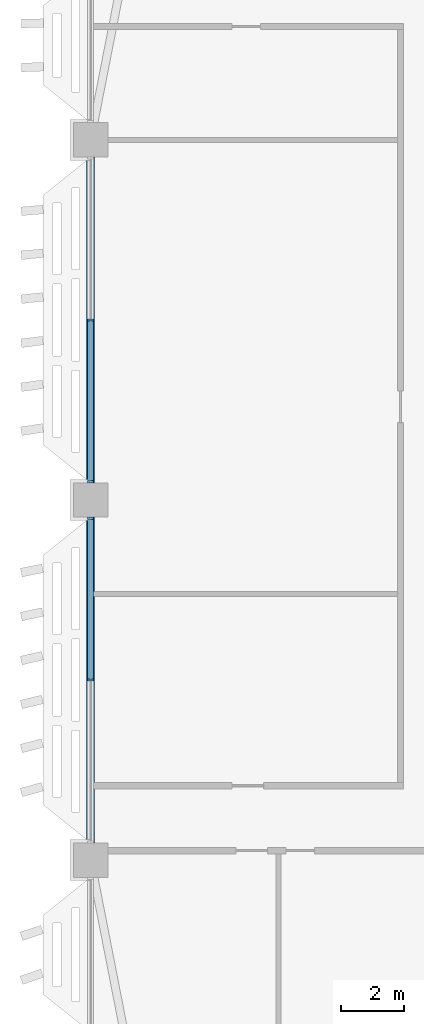
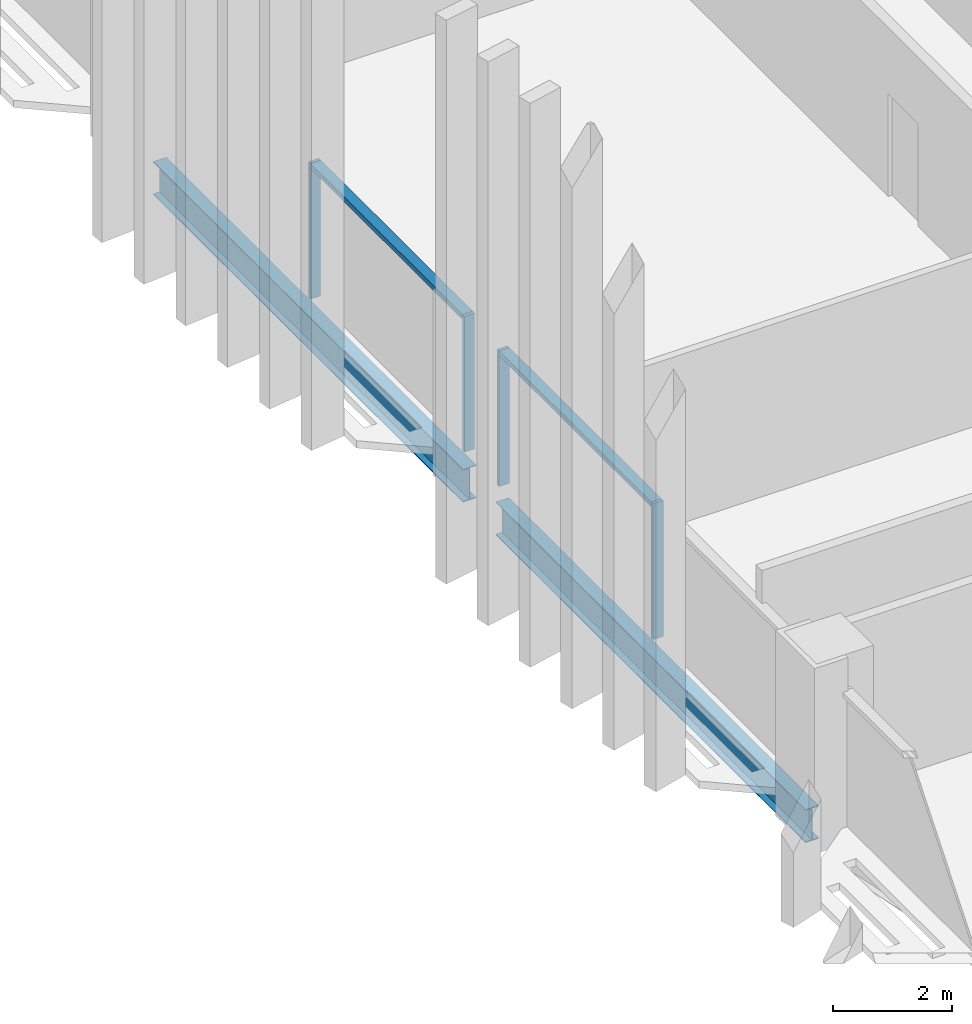
# One storey, part 5 of 30: 6 members, 2 beams, 2 elements without a shape of their own.
"""IFC4 building model written with IfcOpenShell, lengths in metres."""

from ifc_helpers import new_model, si_unit, direction, frame, origin, origin_2d, place, context, subcontext, project, spatial, rectangle, i_section, extrude, material, material_profile, profile_set, type_object, element, aggregate, save


model = new_model("IFC4")

# Units and contexts
model_context = context("Model", 3, precision=1e-05, world=origin(), true_north=direction((0.0, 1.0)))
body_context = subcontext(model_context, "Body", "Model", "MODEL_VIEW")
ifc_project = project(units=[si_unit("LENGTHUNIT", "METRE"), si_unit("AREAUNIT", "SQUARE_METRE"), si_unit("VOLUMEUNIT", "CUBIC_METRE"), si_unit("PLANEANGLEUNIT", "RADIAN"), si_unit("MASSUNIT", "GRAM", prefix="KILO")], contexts=[model_context])

# Site, building, storey
site_placement = place(None, origin())
site = spatial("IfcSite", under=ifc_project, at=site_placement, CompositionType="ELEMENT")
building_placement = place(site_placement, origin())
building = spatial("IfcBuilding", under=site, at=building_placement, Name="Mahtab Terrace Research Tower", CompositionType="ELEMENT")
storey_placement = place(building_placement, frame((0.0, 0.0, 209.10009765625)))
storey = spatial("IfcBuildingStorey", under=building, at=storey_placement, Name="L50", CompositionType="ELEMENT", Elevation=209.10009765625)

# Curtain wall, members
ifc_material_1 = material(Name="Laboratory ribbon curtain wall")
curtain_wall_type = type_object("IfcCurtainWallType", Name="Laboratory ribbon curtain wall", PredefinedType="NOTDEFINED", material=ifc_material_1)
curtain_wall_1_placement = place(storey_placement, origin())
curtain_wall_1 = element("IfcCurtainWall", 1, at=curtain_wall_1_placement, inside=storey, type_object=curtain_wall_type, Name="EN.L50.8.16", PredefinedType="NOTDEFINED")
ifc_material_2 = material(Name="Natural anodised aluminium", Category="aluminium")
ifc_material_profile_1 = material_profile(ifc_material_2, rectangle(XDim=0.199951171875, YDim=0.06494140625, at=origin_2d()), Name="MULLION 65x200")
ifc_profile_set_1 = profile_set([ifc_material_profile_1], Name="Natural anodised aluminium")
member_type_1 = type_object("IfcMemberType", Name="Laboratory ribbon curtain wall mullion", PredefinedType="MULLION", material=ifc_profile_set_1)
member_1_placement = place(storey_placement, frame((-42.0, 5.75, 0.0), z_axis=(0.0, 0.0, 1.0), x_axis=(1.0, 0.0, 0.0)))
member_1 = element("IfcMember", 2, at=member_1_placement, type_object=member_type_1, Name="CWL-6 mullion 2", PredefinedType="MULLION", context=body_context, shape_type="SweptSolid", body=[
    extrude(rectangle(XDim=0.199951171875, YDim=0.06494140625, at=origin_2d()), origin(), (0.0, 0.0, 1.0), 2.78173828125),
])
member_2_placement = place(storey_placement, frame((-42.0, 0.58251953125, 0.0), z_axis=(0.0, 0.0, 1.0), x_axis=(1.0, 0.0, 0.0)))
member_2 = element("IfcMember", 3, at=member_2_placement, type_object=member_type_1, Name="CWL-6 mullion 3", PredefinedType="MULLION", context=body_context, shape_type="SweptSolid", body=[
    extrude(rectangle(XDim=0.199951171875, YDim=0.06494140625, at=origin_2d()), origin(), (0.0, 0.0, 1.0), 2.78173828125),
])

curtain_wall_2_placement = place(storey_placement, origin())
curtain_wall_2 = element("IfcCurtainWall", 4, at=curtain_wall_2_placement, inside=storey, type_object=curtain_wall_type, Name="EN.L50.8.17", PredefinedType="NOTDEFINED")
member_3_placement = place(storey_placement, frame((-42.0, -0.58251953125, 0.0), z_axis=(0.0, 0.0, 1.0), x_axis=(1.0, 0.0, 0.0)))
member_3 = element("IfcMember", 5, at=member_3_placement, type_object=member_type_1, Name="CWL-6 mullion 1", PredefinedType="MULLION", context=body_context, shape_type="SweptSolid", body=[
    extrude(rectangle(XDim=0.199951171875, YDim=0.06494140625, at=origin_2d()), origin(), (0.0, 0.0, 1.0), 2.78173828125),
])
member_4_placement = place(storey_placement, frame((-42.0, -5.75, 0.0), z_axis=(0.0, 0.0, 1.0), x_axis=(1.0, 0.0, 0.0)))
member_4 = element("IfcMember", 6, at=member_4_placement, type_object=member_type_1, Name="CWL-6 mullion 2", PredefinedType="MULLION", context=body_context, shape_type="SweptSolid", body=[
    extrude(rectangle(XDim=0.199951171875, YDim=0.06494140625, at=origin_2d()), origin(), (0.0, 0.0, 1.0), 2.78173828125),
])

# Member
ifc_material_profile_2 = material_profile(ifc_material_2, rectangle(XDim=0.199951171875, YDim=0.10009765625, at=origin_2d()), Name="TRANSOM 100x200")
ifc_profile_set_2 = profile_set([ifc_material_profile_2], Name="Natural anodised aluminium")
member_type_2 = type_object("IfcMemberType", Name="Laboratory ribbon curtain wall transom", PredefinedType="USERDEFINED", material=ifc_profile_set_2)
member_5_placement = place(storey_placement, frame((-42.0, 5.717529296875, 2.731689453125), z_axis=(0.0, -1.0, 0.0), x_axis=(1.0, 0.0, 0.0)))
member_5 = element("IfcMember", 7, at=member_5_placement, type_object=member_type_2, Name="CWL-6 transom 2", ObjectType="TRANSOM", PredefinedType="USERDEFINED", context=body_context, shape_type="SweptSolid", body=[
    extrude(rectangle(XDim=0.199951171875, YDim=0.10009765625, at=origin_2d()), origin(), (0.0, 0.0, 1.0), 5.1025390625),
])

aggregate(curtain_wall_1, [member_1, member_2, member_5])

member_6_placement = place(storey_placement, frame((-42.0, -0.614990234375, 2.731689453125), z_axis=(0.0, -1.0, 0.0), x_axis=(1.0, 0.0, 0.0)))
member_6 = element("IfcMember", 8, at=member_6_placement, type_object=member_type_2, Name="CWL-6 transom 1", ObjectType="TRANSOM", PredefinedType="USERDEFINED", context=body_context, shape_type="SweptSolid", body=[
    extrude(rectangle(XDim=0.199951171875, YDim=0.10009765625, at=origin_2d()), origin(), (0.0, 0.0, 1.0), 5.1025390625),
])

aggregate(curtain_wall_2, [member_3, member_4, member_6])

# Beams
ifc_material_3 = material(Name="Steel ASTM A992 Gr 50", Category="steel")
ifc_material_profile_3 = material_profile(ifc_material_3, i_section(OverallWidth=0.25390625, OverallDepth=0.67822265625, WebThickness=0.01171875, FlangeThickness=0.016357421875, at=origin_2d()), Name="W27X84")
ifc_profile_set_3 = profile_set([ifc_material_profile_3], Name="Steel ASTM A992 Gr 50")
beam_type = type_object("IfcBeamType", Name="W27x84 beam BS2784", PredefinedType="BEAM", material=ifc_profile_set_3)
for number, where, z_axis, x_axis, name in (
    (9, (-42.0, 10.949951171875, -0.67919921875), (0.0, -1.0, 0.0), (1.0, 0.0, 0.0), "Spandrel beam L50 10"),
    (10, (-42.0, -0.550048828125, -0.67919921875), (0.0, -1.0, 0.0), (1.0, 0.0, 0.0), "Spandrel beam L50 11"),
):
    element("IfcBeam", number, at=place(storey_placement, frame(where, z_axis=z_axis, x_axis=x_axis)), inside=storey, type_object=beam_type, Name=name, PredefinedType="BEAM", context=body_context, shape_type="SweptSolid", body=[
        extrude(i_section(OverallWidth=0.25390625, OverallDepth=0.67822265625, WebThickness=0.01171875, FlangeThickness=0.016357421875, at=origin_2d()), origin(), (0.0, 0.0, 1.0), 10.39990234375),
    ])

save(model, "model.ifc")
